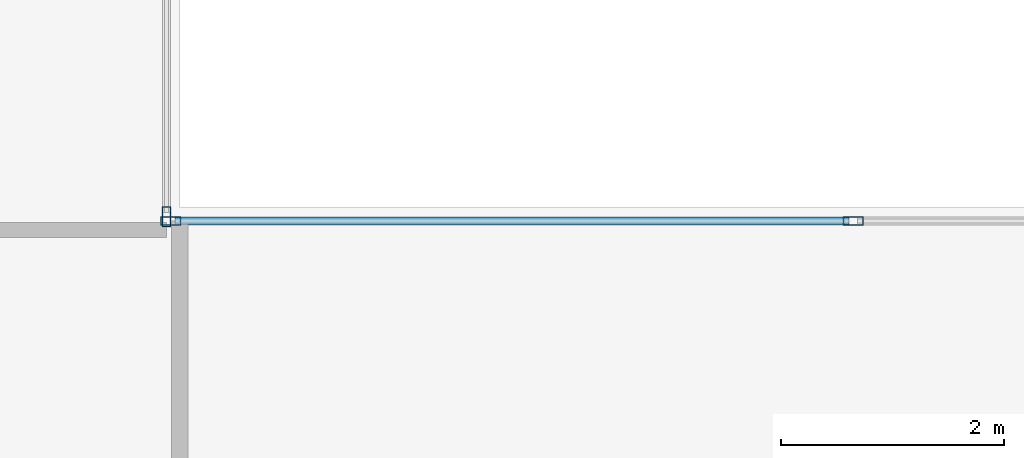
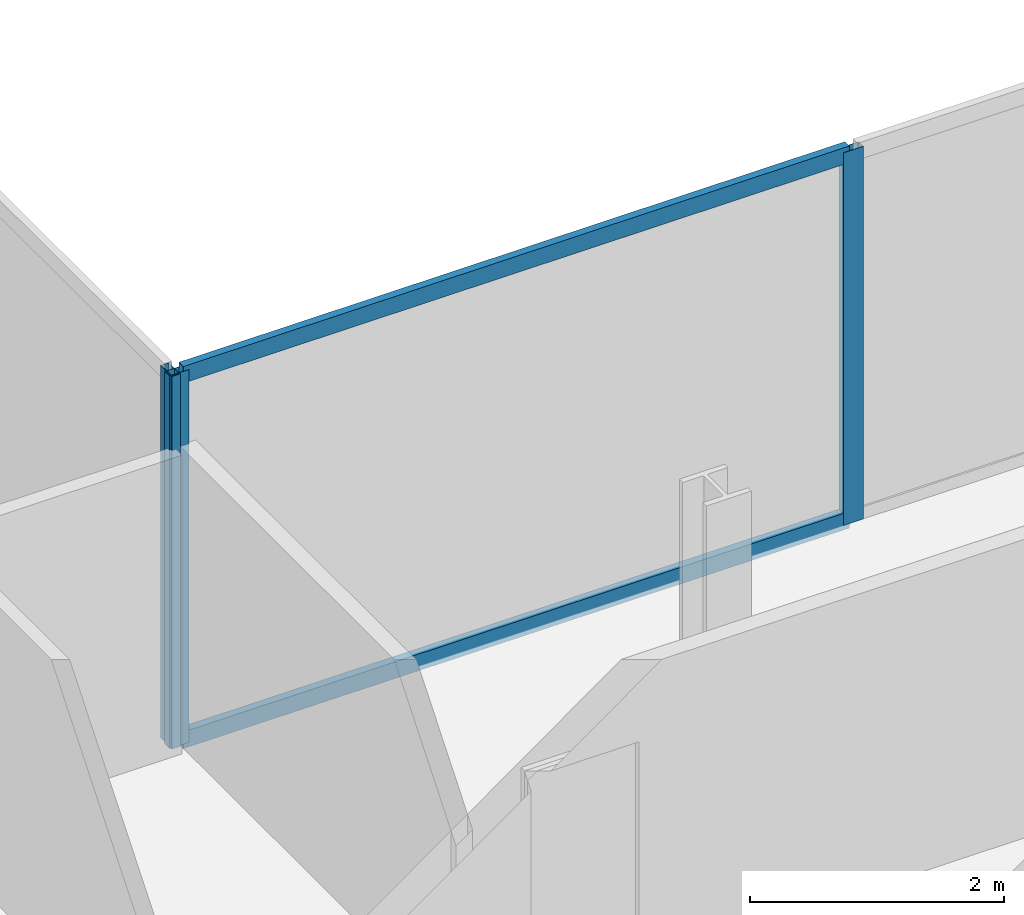
# One storey, part 7 of 23: 5 members, 2 elements without a shape of their own.
"""IFC4 building model written with IfcOpenShell, lengths in metres."""

from ifc_helpers import new_model, si_unit, direction, frame, origin, origin_2d, place, context, subcontext, project, spatial, hollow_rectangle, extrude, material, material_profile, profile_set, type_object, element, aggregate, save


model = new_model("IFC4")

# Units and contexts
model_context = context("Model", 3, precision=1e-05, world=origin(), true_north=direction((0.0, 1.0)))
body_context = subcontext(model_context, "Body", "Model", "MODEL_VIEW")
ifc_project = project(units=[si_unit("LENGTHUNIT", "METRE"), si_unit("AREAUNIT", "SQUARE_METRE"), si_unit("VOLUMEUNIT", "CUBIC_METRE"), si_unit("PLANEANGLEUNIT", "RADIAN"), si_unit("MASSUNIT", "GRAM", prefix="KILO")], contexts=[model_context])

# Site, building, storey
site_placement = place(None, origin())
site = spatial("IfcSite", under=ifc_project, at=site_placement, CompositionType="ELEMENT")
building_placement = place(site_placement, origin())
building = spatial("IfcBuilding", under=site, at=building_placement, Name="Cobrela Telecom Tower", CompositionType="ELEMENT")
storey_placement = place(building_placement, frame((0.0, 0.0, 113.75)))
storey = spatial("IfcBuildingStorey", under=building, at=storey_placement, Name="L28", CompositionType="ELEMENT", Elevation=113.75)

# Curtain wall, member
ifc_material = material(Name="Anodized Bronze Aluminium 6063-T6", Category="aluminium")
curtain_wall_type = type_object("IfcCurtainWallType", Name="CW-SYS-TEL", PredefinedType="USERDEFINED", material=ifc_material)
curtain_wall_1_placement = place(storey_placement, origin())
curtain_wall_1 = element("IfcCurtainWall", 1, at=curtain_wall_1_placement, inside=storey, type_object=curtain_wall_type, Name="L28 Unitised Bronze Curtain Wall 10", ObjectType="UNITISED CURTAIN WALL", PredefinedType="USERDEFINED")
ifc_material_profile_1 = material_profile(ifc_material, hollow_rectangle(XDim=0.074951171875, YDim=0.179931640625, WallThickness=0.00390625, at=origin_2d()), Name="ALU 75x180x4")
ifc_profile_set_1 = profile_set([ifc_material_profile_1], Name="Anodized Bronze Aluminium 6063-T6")
member_type_1 = type_object("IfcMemberType", Name="CW-SYS-TEL-MUL", PredefinedType="MULLION", material=ifc_profile_set_1)
member_1_placement = place(storey_placement, frame((25.8798828125, 25.117431640625, 0.0), z_axis=(0.0, 0.0, 1.0), x_axis=(1.0, 0.0, 0.0)))
member_1 = element("IfcMember", 2, at=member_1_placement, type_object=member_type_1, Name="CW-TEL mullion 3", PredefinedType="MULLION", context=body_context, shape_type="SweptSolid", body=[
    extrude(hollow_rectangle(XDim=0.074951171875, YDim=0.179931640625, WallThickness=0.00390625, at=origin_2d()), origin(), (0.0, 0.0, 1.0), 3.580078125),
])
aggregate(curtain_wall_1, [member_1])

# Curtain wall, members
curtain_wall_2_placement = place(storey_placement, origin())
curtain_wall_2 = element("IfcCurtainWall", 3, at=curtain_wall_2_placement, inside=storey, type_object=curtain_wall_type, Name="L28 Unitised Bronze Curtain Wall 11", ObjectType="UNITISED CURTAIN WALL", PredefinedType="USERDEFINED")
member_2_placement = place(storey_placement, frame((25.91748046875, 25.080078125, 0.0), z_axis=(0.0, 0.0, 1.0), x_axis=(0.0, 1.0, 0.0)))
member_2 = element("IfcMember", 4, at=member_2_placement, type_object=member_type_1, Name="CW-TEL mullion 1", PredefinedType="MULLION", context=body_context, shape_type="SweptSolid", body=[
    extrude(hollow_rectangle(XDim=0.074951171875, YDim=0.179931640625, WallThickness=0.00390625, at=origin_2d()), origin(), (0.0, 0.0, 1.0), 3.580078125),
])
member_3_placement = place(storey_placement, frame((32.043212890625, 25.080078125, 0.0), z_axis=(0.0, 0.0, 1.0), x_axis=(0.0, 1.0, 0.0)))
member_3 = element("IfcMember", 5, at=member_3_placement, type_object=member_type_1, Name="CW-TEL mullion 2", PredefinedType="MULLION", context=body_context, shape_type="SweptSolid", body=[
    extrude(hollow_rectangle(XDim=0.074951171875, YDim=0.179931640625, WallThickness=0.00390625, at=origin_2d()), origin(), (0.0, 0.0, 1.0), 3.580078125),
])
ifc_material_profile_2 = material_profile(ifc_material, hollow_rectangle(XDim=0.070068359375, YDim=0.159912109375, WallThickness=0.00390625, at=origin_2d()), Name="ALU 70x160x4")
ifc_profile_set_2 = profile_set([ifc_material_profile_2], Name="Anodized Bronze Aluminium 6063-T6")
member_type_2 = type_object("IfcMemberType", Name="CW-SYS-TEL-TRN", PredefinedType="USERDEFINED", material=ifc_profile_set_2)
member_4_placement = place(storey_placement, frame((25.955078125, 25.080078125, 0.034912109375), z_axis=(1.0, 0.0, 0.0), x_axis=(0.0, 1.0, 0.0)))
member_4 = element("IfcMember", 6, at=member_4_placement, type_object=member_type_2, Name="CW-TEL transom 1.1", ObjectType="TRANSOM", PredefinedType="USERDEFINED", context=body_context, shape_type="SweptSolid", body=[
    extrude(hollow_rectangle(XDim=0.070068359375, YDim=0.159912109375, WallThickness=0.00390625, at=origin_2d()), origin(), (0.0, 0.0, 1.0), 6.05078125),
])
member_5_placement = place(storey_placement, frame((25.955078125, 25.080078125, 3.544921875), z_axis=(1.0, 0.0, 0.0), x_axis=(0.0, 1.0, 0.0)))
member_5 = element("IfcMember", 7, at=member_5_placement, type_object=member_type_2, Name="CW-TEL transom 1.2", ObjectType="TRANSOM", PredefinedType="USERDEFINED", context=body_context, shape_type="SweptSolid", body=[
    extrude(hollow_rectangle(XDim=0.070068359375, YDim=0.159912109375, WallThickness=0.00390625, at=origin_2d()), origin(), (0.0, 0.0, 1.0), 6.05078125),
])
aggregate(curtain_wall_2, [member_2, member_3, member_4, member_5])

save(model, "model.ifc")
